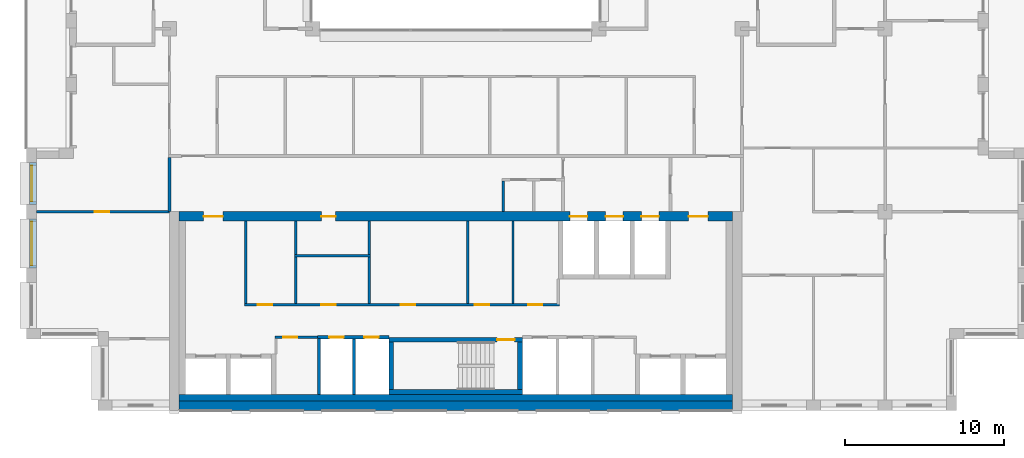
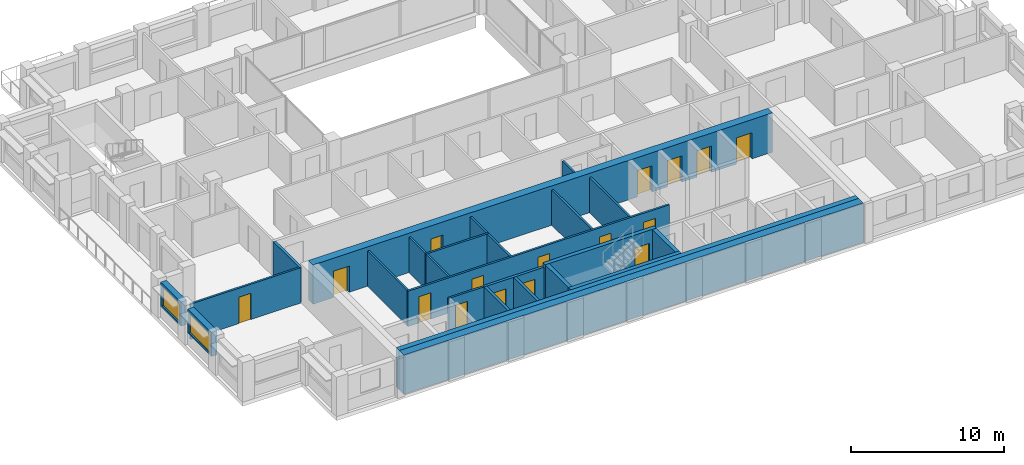
# One storey, part 8 of 15: 25 walls, 16 doors, 2 windows, 18 openings.
"""IFC4 building model written with IfcOpenShell, lengths in metres."""

from ifc_helpers import new_model, si_unit, direction, frame, frame_2d, origin, place, context, subcontext, project, spatial, rectangle, extrude, material, layer, layer_set, type_object, element, fill, save


model = new_model("IFC4")

# Units and contexts
model_context = context("Model", 3, precision=1e-05, world=origin(), true_north=direction((0.0, 1.0)))
body_context = subcontext(model_context, "Body", "Model", "MODEL_VIEW")
ifc_project = project(units=[si_unit("LENGTHUNIT", "METRE"), si_unit("AREAUNIT", "SQUARE_METRE"), si_unit("VOLUMEUNIT", "CUBIC_METRE"), si_unit("PLANEANGLEUNIT", "RADIAN"), si_unit("MASSUNIT", "GRAM", prefix="KILO")], contexts=[model_context])

# Site, building, storey
site_placement = place(None, origin())
site = spatial("IfcSite", under=ifc_project, at=site_placement, CompositionType="ELEMENT")
building_placement = place(site_placement, origin())
building = spatial("IfcBuilding", under=site, at=building_placement, Name="Brigalow Station Residences", CompositionType="ELEMENT")
storey_placement = place(building_placement, frame((0.0, 0.0, 216.89990234375)))
storey = spatial("IfcBuildingStorey", under=building, at=storey_placement, Name="L62", CompositionType="ELEMENT", Elevation=216.89990234375)

# Wall, opening, window
ifc_material_1 = material(Name="Clay brick masonry", Category="masonry")
ifc_layer_1 = layer(ifc_material_1, 0.449951171875)
ifc_layer_set_1 = layer_set([ifc_layer_1], Name="BRICK INFILL WALL 450")
wall_type_1 = type_object("IfcWallType", Name="BRICK INFILL WALL 450", PredefinedType="SOLIDWALL", material=ifc_layer_set_1)
wall_1_placement = place(storey_placement, frame((9.425048828125, 15.60009765625, 0.900146484375), z_axis=(0.0, 0.0, 1.0), x_axis=(0.0, -1.0, 0.0)))
wall_1 = element("IfcWall", 1, at=wall_1_placement, inside=storey, type_object=wall_type_1, Name="L62/ewall/W-L62-41", PredefinedType="SOLIDWALL", context=body_context, shape_type="SweptSolid", body=[
    extrude(rectangle(XDim=2.650146484375, YDim=0.449951171875, at=frame_2d((1.3251953125, 0.0))), origin(), (0.0, 0.0, 1.0), 1.929931640625),
])
opening_1_placement = place(wall_1_placement, frame((0.199951171875, 0.0, 0.14990234375)))
opening_1 = element("IfcOpeningElement", 2, at=opening_1_placement, cuts=wall_1, Name="Opening WT-6", PredefinedType="OPENING", context=body_context, shape_type="SweptSolid", body=[
    extrude(rectangle(XDim=2.25, YDim=1.5, at=frame_2d((1.125, 0.75))), frame((0.0, 0.23486328125, 0.0), z_axis=(0.0, -1.0, 0.0), x_axis=(1.0, 0.0, 0.0)), (0.0, 0.0, 1.0), 0.469970703125),
])
ifc_material_2 = material(Name="Anodised aluminium frame with double glazing", Category="aluminium")
window_type_1 = type_object("IfcWindowType", Name="WINDOW 2250x1500", PartitioningType="SINGLE_PANEL", PredefinedType="WINDOW", material=ifc_material_2)
window_1_placement = place(opening_1_placement, origin())
window_1 = element("IfcWindow", 3, at=window_1_placement, inside=storey, type_object=window_type_1, Name="L62/window/W-L62-41", OverallHeight=1.5, OverallWidth=2.25, PartitioningType="SINGLE_PANEL", PredefinedType="WINDOW", context=body_context, shape_type="SweptSolid", body=[
    extrude(rectangle(XDim=2.25, YDim=1.5, at=frame_2d((1.125, 0.75))), frame((0.0, -0.06494140625, 0.0), z_axis=(0.0, -1.0, 0.0), x_axis=(1.0, 0.0, 0.0)), (0.0, 0.0, 1.0), 0.06005859375),
])
fill(opening_1, window_1)

wall_2_placement = place(storey_placement, frame((9.425048828125, 12.050048828125, 0.900146484375), z_axis=(0.0, 0.0, 1.0), x_axis=(0.0, -1.0, 0.0)))
wall_2 = element("IfcWall", 4, at=wall_2_placement, inside=storey, type_object=wall_type_1, Name="L62/ewall/W-L62-42", PredefinedType="SOLIDWALL", context=body_context, shape_type="SweptSolid", body=[
    extrude(rectangle(XDim=3.10009765625, YDim=0.449951171875, at=frame_2d((1.550048828125, 0.0))), origin(), (0.0, 0.0, 1.0), 1.929931640625),
])
opening_2_placement = place(wall_2_placement, frame((0.175048828125, 0.0, 0.14990234375)))
opening_2 = element("IfcOpeningElement", 5, at=opening_2_placement, cuts=wall_2, Name="Opening WT-3", PredefinedType="OPENING", context=body_context, shape_type="SweptSolid", body=[
    extrude(rectangle(XDim=2.75, YDim=1.5, at=frame_2d((1.375, 0.75))), frame((0.0, 0.23486328125, 0.0), z_axis=(0.0, -1.0, 0.0), x_axis=(1.0, 0.0, 0.0)), (0.0, 0.0, 1.0), 0.469970703125),
])
ifc_material_3 = material(Name="Anodised aluminium frame with double glazing", Category="aluminium")
window_type_2 = type_object("IfcWindowType", Name="WINDOW 2750x1500", PartitioningType="SINGLE_PANEL", PredefinedType="WINDOW", material=ifc_material_3)
window_2_placement = place(opening_2_placement, origin())
window_2 = element("IfcWindow", 6, at=window_2_placement, inside=storey, type_object=window_type_2, Name="L62/window/W-L62-42", OverallHeight=1.5, OverallWidth=2.75, PartitioningType="SINGLE_PANEL", PredefinedType="WINDOW", context=body_context, shape_type="SweptSolid", body=[
    extrude(rectangle(XDim=2.75, YDim=1.5, at=frame_2d((1.375, 0.75))), frame((0.0, -0.06494140625, 0.0), z_axis=(0.0, -1.0, 0.0), x_axis=(1.0, 0.0, 0.0)), (0.0, 0.0, 1.0), 0.06005859375),
])
fill(opening_2, window_2)

# Wall
ifc_material_4 = material(Name="Concrete C50", Category="concrete")
ifc_layer_2 = layer(ifc_material_4, 0.300048828125)
ifc_layer_set_2 = layer_set([ifc_layer_2], Name="CORE SHEAR WALL 300 C50")
wall_type_2 = type_object("IfcWallType", Name="CORE SHEAR WALL 300 C50", PredefinedType="SHEAR", material=ifc_layer_set_2)
wall_3_placement = place(storey_placement, frame((31.800048828125, 1.14990234375, 0.0), z_axis=(0.0, 0.0, 1.0), x_axis=(1.0, 0.0, 0.0)))
element("IfcWall", 7, at=wall_3_placement, inside=storey, type_object=wall_type_2, Name="CORE WALL ST-S2-S L62", PredefinedType="SHEAR", context=body_context, shape_type="SweptSolid", body=[
    extrude(rectangle(XDim=8.39990234375, YDim=0.300048828125, at=frame_2d((4.199951171875, 0.0))), origin(), (0.0, 0.0, 1.0), 3.150146484375),
])

# Wall, opening, door
wall_4_placement = place(storey_placement, frame((31.800048828125, 4.449951171875, 0.0), z_axis=(0.0, 0.0, 1.0), x_axis=(1.0, 0.0, 0.0)))
wall_4 = element("IfcWall", 8, at=wall_4_placement, inside=storey, type_object=wall_type_2, Name="CORE WALL ST-S2-N L62", PredefinedType="SHEAR", context=body_context, shape_type="SweptSolid", body=[
    extrude(rectangle(XDim=8.39990234375, YDim=0.300048828125, at=frame_2d((4.199951171875, 0.0))), origin(), (0.0, 0.0, 1.0), 3.150146484375),
])
opening_3_placement = place(wall_4_placement, frame((6.800048828125, 0.0, 0.0)))
opening_3 = element("IfcOpeningElement", 9, at=opening_3_placement, cuts=wall_4, Name="Opening D-5001", PredefinedType="OPENING", context=body_context, shape_type="SweptSolid", body=[
    extrude(rectangle(XDim=1.10009765625, YDim=2.10009765625, at=frame_2d((0.550048828125, 1.050048828125))), frame((0.0, 0.16015625, 0.0), z_axis=(0.0, -1.0, 0.0), x_axis=(1.0, 0.0, 0.0)), (0.0, 0.0, 1.0), 0.320068359375),
])
ifc_material_5 = material(Name="Steel fire door leaf in steel frame", Category="steel")
door_type_1 = type_object("IfcDoorType", Name="STAIR DOOR 1100 x 2100 FD60S", OperationType="SINGLE_SWING_LEFT", PredefinedType="DOOR", material=ifc_material_5)
door_1_placement = place(opening_3_placement, frame((1.10009765625, 0.0, 0.0), z_axis=(0.0, 0.0, 1.0), x_axis=(-1.0, 0.0, 0.0)))
door_1 = element("IfcDoor", 10, at=door_1_placement, inside=storey, type_object=door_type_1, Name="D-5001", OperationType="SINGLE_SWING_LEFT", OverallHeight=2.10009765625, OverallWidth=1.10009765625, PredefinedType="DOOR", context=body_context, shape_type="SweptSolid", body=[
    extrude(rectangle(XDim=1.10009765625, YDim=2.10009765625, at=frame_2d((0.550048828125, 1.050048828125))), frame((0.0, 0.02490234375, 0.0), z_axis=(0.0, -1.0, 0.0), x_axis=(1.0, 0.0, 0.0)), (0.0, 0.0, 1.0), 0.050048828125),
])
fill(opening_3, door_1)

# Walls
for number, where, z_axis, x_axis, name in (
    (11, (31.949951171875, 1.300048828125, 0.0), (0.0, 0.0, 1.0), (0.0, 1.0, 0.0), "CORE WALL ST-S2-W L62"),
    (12, (40.050048828125, 1.300048828125, 0.0), (0.0, 0.0, 1.0), (0.0, 1.0, 0.0), "CORE WALL ST-S2-E L62"),
):
    element("IfcWall", number, at=place(storey_placement, frame(where, z_axis=z_axis, x_axis=x_axis)), inside=storey, type_object=wall_type_2, Name=name, PredefinedType="SHEAR", context=body_context, shape_type="SweptSolid", body=[
        extrude(rectangle(XDim=3.0, YDim=0.300048828125, at=frame_2d((1.5, 0.0))), origin(), (0.0, 0.0, 1.0), 3.150146484375),
    ])
ifc_material_6 = material(Name="Concrete C50", Category="concrete")
ifc_layer_3 = layer(ifc_material_6, 0.39990234375)
ifc_layer_set_3 = layer_set([ifc_layer_3], Name="CORE SHEAR WALL 400 C50")
wall_type_3 = type_object("IfcWallType", Name="CORE SHEAR WALL 400 C50", PredefinedType="SHEAR", material=ifc_layer_set_3)
wall_5_placement = place(storey_placement, frame((18.60009765625, 0.800048828125, 0.0), z_axis=(0.0, 0.0, 1.0), x_axis=(1.0, 0.0, 0.0)))
element("IfcWall", 13, at=wall_5_placement, inside=storey, type_object=wall_type_3, Name="CORE WALL LIN-S L62", PredefinedType="SHEAR", context=body_context, shape_type="SweptSolid", body=[
    extrude(rectangle(XDim=34.7998046875, YDim=0.39990234375, at=frame_2d((17.39990234375, 0.0))), origin(), (0.0, 0.0, 1.0), 3.150146484375),
])
ifc_material_7 = material(Name="Concrete C50", Category="concrete")
ifc_layer_4 = layer(ifc_material_7, 0.60009765625)
ifc_layer_set_4 = layer_set([ifc_layer_4], Name="CORE SHEAR WALL 600 C50")
wall_type_4 = type_object("IfcWallType", Name="CORE SHEAR WALL 600 C50", PredefinedType="SHEAR", material=ifc_layer_set_4)
wall_6_placement = place(storey_placement, frame((18.60009765625, 0.300048828125, 0.0), z_axis=(0.0, 0.0, 1.0), x_axis=(1.0, 0.0, 0.0)))
element("IfcWall", 14, at=wall_6_placement, inside=storey, type_object=wall_type_4, Name="CORE WALL OUT-S L62", PredefinedType="SHEAR", context=body_context, shape_type="SweptSolid", body=[
    extrude(rectangle(XDim=34.7998046875, YDim=0.60009765625, at=frame_2d((17.39990234375, 0.0))), origin(), (0.0, 0.0, 1.0), 3.150146484375),
])

# Wall, openings, doors
wall_7_placement = place(storey_placement, frame((18.60009765625, 12.199951171875, 0.0), z_axis=(0.0, 0.0, 1.0), x_axis=(1.0, 0.0, 0.0)))
wall_7 = element("IfcWall", 15, at=wall_7_placement, inside=storey, type_object=wall_type_4, Name="CORE WALL OUT-N L62", PredefinedType="SHEAR", context=body_context, shape_type="SweptSolid", body=[
    extrude(rectangle(XDim=34.7998046875, YDim=0.60009765625, at=frame_2d((17.39990234375, 0.0))), origin(), (0.0, 0.0, 1.0), 3.150146484375),
])
opening_4_placement = place(wall_7_placement, frame((24.574951171875, 0.0, 0.0)))
opening_4 = element("IfcOpeningElement", 16, at=opening_4_placement, cuts=wall_7, Name="Opening LD-LF1", PredefinedType="OPENING", context=body_context, shape_type="SweptSolid", body=[
    extrude(rectangle(XDim=1.10009765625, YDim=2.10009765625, at=frame_2d((0.550048828125, 1.050048828125))), frame((0.0, 0.31005859375, 0.0), z_axis=(0.0, -1.0, 0.0), x_axis=(1.0, 0.0, 0.0)), (0.0, 0.0, 1.0), 0.6201171875),
])
opening_5_placement = place(wall_7_placement, frame((26.824951171875, 0.0, 0.0)))
opening_5 = element("IfcOpeningElement", 17, at=opening_5_placement, cuts=wall_7, Name="Opening LD-LF2", PredefinedType="OPENING", context=body_context, shape_type="SweptSolid", body=[
    extrude(rectangle(XDim=1.10009765625, YDim=2.10009765625, at=frame_2d((0.550048828125, 1.050048828125))), frame((0.0, 0.31005859375, 0.0), z_axis=(0.0, -1.0, 0.0), x_axis=(1.0, 0.0, 0.0)), (0.0, 0.0, 1.0), 0.6201171875),
])
opening_6_placement = place(wall_7_placement, frame((29.074951171875, 0.0, 0.0)))
opening_6 = element("IfcOpeningElement", 18, at=opening_6_placement, cuts=wall_7, Name="Opening LD-LG1", PredefinedType="OPENING", context=body_context, shape_type="SweptSolid", body=[
    extrude(rectangle(XDim=1.10009765625, YDim=2.10009765625, at=frame_2d((0.550048828125, 1.050048828125))), frame((0.0, 0.31005859375, 0.0), z_axis=(0.0, -1.0, 0.0), x_axis=(1.0, 0.0, 0.0)), (0.0, 0.0, 1.0), 0.6201171875),
])
opening_7_placement = place(wall_7_placement, frame((8.949951171875, 0.0, 0.0)))
opening_7 = element("IfcOpeningElement", 19, at=opening_7_placement, cuts=wall_7, Name="Opening D-5121", PredefinedType="OPENING", context=body_context, shape_type="SweptSolid", body=[
    extrude(rectangle(XDim=0.89990234375, YDim=2.10009765625, at=frame_2d((0.449951171875, 1.050048828125))), frame((0.0, 0.31005859375, 0.0), z_axis=(0.0, -1.0, 0.0), x_axis=(1.0, 0.0, 0.0)), (0.0, 0.0, 1.0), 0.6201171875),
])
opening_8_placement = place(wall_7_placement, frame((1.550048828125, 0.0, 0.0)))
opening_8 = element("IfcOpeningElement", 20, at=opening_8_placement, cuts=wall_7, Name="Opening D-5011", PredefinedType="OPENING", context=body_context, shape_type="SweptSolid", body=[
    extrude(rectangle(XDim=1.199951171875, YDim=2.10009765625, at=frame_2d((0.60009765625, 1.050048828125))), frame((0.0, 0.31005859375, 0.0), z_axis=(0.0, -1.0, 0.0), x_axis=(1.0, 0.0, 0.0)), (0.0, 0.0, 1.0), 0.6201171875),
])
opening_9_placement = place(wall_7_placement, frame((32.050048828125, 0.0, 0.0)))
opening_9 = element("IfcOpeningElement", 21, at=opening_9_placement, cuts=wall_7, Name="Opening D-5012", PredefinedType="OPENING", context=body_context, shape_type="SweptSolid", body=[
    extrude(rectangle(XDim=1.199951171875, YDim=2.10009765625, at=frame_2d((0.60009765625, 1.050048828125))), frame((0.0, 0.31005859375, 0.0), z_axis=(0.0, -1.0, 0.0), x_axis=(1.0, 0.0, 0.0)), (0.0, 0.0, 1.0), 0.6201171875),
])
ifc_material_8 = material(Name="Steel fire door leaf in steel frame", Category="steel")
door_type_2 = type_object("IfcDoorType", Name="CORE CORRIDOR DOOR 1200 x 2100 FD60S", OperationType="SINGLE_SWING_LEFT", PredefinedType="DOOR", material=ifc_material_8)
door_2_placement = place(opening_8_placement, frame((1.199951171875, 0.0, 0.0), z_axis=(0.0, 0.0, 1.0), x_axis=(-1.0, 0.0, 0.0)))
door_2 = element("IfcDoor", 22, at=door_2_placement, inside=storey, type_object=door_type_2, Name="D-5011", OperationType="SINGLE_SWING_LEFT", OverallHeight=2.10009765625, OverallWidth=1.199951171875, PredefinedType="DOOR", context=body_context, shape_type="SweptSolid", body=[
    extrude(rectangle(XDim=1.199951171875, YDim=2.10009765625, at=frame_2d((0.60009765625, 1.050048828125))), frame((0.0, 0.02490234375, 0.0), z_axis=(0.0, -1.0, 0.0), x_axis=(1.0, 0.0, 0.0)), (0.0, 0.0, 1.0), 0.050048828125),
])
fill(opening_8, door_2)
door_3_placement = place(opening_9_placement, frame((1.199951171875, 0.0, 0.0), z_axis=(0.0, 0.0, 1.0), x_axis=(-1.0, 0.0, 0.0)))
door_3 = element("IfcDoor", 23, at=door_3_placement, inside=storey, type_object=door_type_2, Name="D-5012", OperationType="SINGLE_SWING_RIGHT", OverallHeight=2.10009765625, OverallWidth=1.199951171875, PredefinedType="DOOR", context=body_context, shape_type="SweptSolid", body=[
    extrude(rectangle(XDim=1.199951171875, YDim=2.10009765625, at=frame_2d((0.60009765625, 1.050048828125))), frame((0.0, 0.02490234375, 0.0), z_axis=(0.0, -1.0, 0.0), x_axis=(1.0, 0.0, 0.0)), (0.0, 0.0, 1.0), 0.050048828125),
])
fill(opening_9, door_3)
ifc_material_9 = material(Name="Stainless steel sliding door leaves", Category="steel")
door_type_3 = type_object("IfcDoorType", Name="LIFT LANDING DOOR 1100 x 2100", OperationType="DOUBLE_DOOR_SLIDING", PredefinedType="DOOR", material=ifc_material_9)
door_4_placement = place(opening_4_placement, origin())
door_4 = element("IfcDoor", 24, at=door_4_placement, inside=storey, type_object=door_type_3, Name="LANDING DOOR LF1", OperationType="DOUBLE_DOOR_SLIDING", OverallHeight=2.10009765625, OverallWidth=1.10009765625, PredefinedType="DOOR", context=body_context, shape_type="SweptSolid", body=[
    extrude(rectangle(XDim=1.10009765625, YDim=2.10009765625, at=frame_2d((0.550048828125, 1.050048828125))), frame((0.0, 0.02490234375, 0.0), z_axis=(0.0, -1.0, 0.0), x_axis=(1.0, 0.0, 0.0)), (0.0, 0.0, 1.0), 0.050048828125),
])
fill(opening_4, door_4)
door_5_placement = place(opening_5_placement, origin())
door_5 = element("IfcDoor", 25, at=door_5_placement, inside=storey, type_object=door_type_3, Name="LANDING DOOR LF2", OperationType="DOUBLE_DOOR_SLIDING", OverallHeight=2.10009765625, OverallWidth=1.10009765625, PredefinedType="DOOR", context=body_context, shape_type="SweptSolid", body=[
    extrude(rectangle(XDim=1.10009765625, YDim=2.10009765625, at=frame_2d((0.550048828125, 1.050048828125))), frame((0.0, 0.02490234375, 0.0), z_axis=(0.0, -1.0, 0.0), x_axis=(1.0, 0.0, 0.0)), (0.0, 0.0, 1.0), 0.050048828125),
])
fill(opening_5, door_5)
door_6_placement = place(opening_6_placement, origin())
door_6 = element("IfcDoor", 26, at=door_6_placement, inside=storey, type_object=door_type_3, Name="LANDING DOOR LG1", OperationType="DOUBLE_DOOR_SLIDING", OverallHeight=2.10009765625, OverallWidth=1.10009765625, PredefinedType="DOOR", context=body_context, shape_type="SweptSolid", body=[
    extrude(rectangle(XDim=1.10009765625, YDim=2.10009765625, at=frame_2d((0.550048828125, 1.050048828125))), frame((0.0, 0.02490234375, 0.0), z_axis=(0.0, -1.0, 0.0), x_axis=(1.0, 0.0, 0.0)), (0.0, 0.0, 1.0), 0.050048828125),
])
fill(opening_6, door_6)
ifc_material_10 = material(Name="Steel door leaf in steel frame", Category="steel")
door_type_4 = type_object("IfcDoorType", Name="SERVICE ROOM DOOR 900 x 2100 FD60", OperationType="SINGLE_SWING_LEFT", PredefinedType="DOOR", material=ifc_material_10)
door_7_placement = place(opening_7_placement, frame((0.89990234375, 0.0, 0.0), z_axis=(0.0, 0.0, 1.0), x_axis=(-1.0, 0.0, 0.0)))
door_7 = element("IfcDoor", 27, at=door_7_placement, inside=storey, type_object=door_type_4, Name="D-5121", OperationType="SINGLE_SWING_RIGHT", OverallHeight=2.10009765625, OverallWidth=0.89990234375, PredefinedType="DOOR", context=body_context, shape_type="SweptSolid", body=[
    extrude(rectangle(XDim=0.89990234375, YDim=2.10009765625, at=frame_2d((0.449951171875, 1.050048828125))), frame((0.0, 0.02490234375, 0.0), z_axis=(0.0, -1.0, 0.0), x_axis=(1.0, 0.0, 0.0)), (0.0, 0.0, 1.0), 0.050048828125),
])
fill(opening_7, door_7)

ifc_material_11 = material(Name="Concrete blockwork", Category="masonry")
ifc_layer_5 = layer(ifc_material_11, 0.199951171875)
ifc_layer_set_5 = layer_set([ifc_layer_5], Name="FIRE RATED CORE PARTITION 200")
wall_type_5 = type_object("IfcWallType", Name="FIRE RATED CORE PARTITION 200", PredefinedType="PARTITIONING", material=ifc_layer_set_5)
wall_8_placement = place(storey_placement, frame((27.300048828125, 4.60009765625, 0.0), z_axis=(0.0, 0.0, 1.0), x_axis=(1.0, 0.0, 0.0)))
wall_8 = element("IfcWall", 28, at=wall_8_placement, inside=storey, type_object=wall_type_5, Name="PW-5017", PredefinedType="PARTITIONING", context=body_context, shape_type="SweptSolid", body=[
    extrude(rectangle(XDim=4.5, YDim=0.199951171875, at=frame_2d((2.25, 0.0))), origin(), (0.0, 0.0, 1.0), 2.830078125),
])
opening_10_placement = place(wall_8_placement, frame((0.75, 0.0, 0.0)))
opening_10 = element("IfcOpeningElement", 29, at=opening_10_placement, cuts=wall_8, Name="Opening D-5007", PredefinedType="OPENING", context=body_context, shape_type="SweptSolid", body=[
    extrude(rectangle(XDim=0.89990234375, YDim=2.10009765625, at=frame_2d((0.449951171875, 1.050048828125))), frame((0.0, 0.10986328125, 0.0), z_axis=(0.0, -1.0, 0.0), x_axis=(1.0, 0.0, 0.0)), (0.0, 0.0, 1.0), 0.219970703125),
])
opening_11_placement = place(wall_8_placement, frame((2.949951171875, 0.0, 0.0)))
opening_11 = element("IfcOpeningElement", 30, at=opening_11_placement, cuts=wall_8, Name="Opening D-5008", PredefinedType="OPENING", context=body_context, shape_type="SweptSolid", body=[
    extrude(rectangle(XDim=0.89990234375, YDim=2.10009765625, at=frame_2d((0.449951171875, 1.050048828125))), frame((0.0, 0.10986328125, 0.0), z_axis=(0.0, -1.0, 0.0), x_axis=(1.0, 0.0, 0.0)), (0.0, 0.0, 1.0), 0.219970703125),
])
ifc_material_12 = material(Name="Steel fire door leaf in steel frame", Category="steel")
door_type_5 = type_object("IfcDoorType", Name="RISER ACCESS DOOR 900 x 2100 FD120", OperationType="SINGLE_SWING_LEFT", PredefinedType="DOOR", material=ifc_material_12)
door_8_placement = place(opening_10_placement, frame((0.89990234375, 0.0, 0.0), z_axis=(0.0, 0.0, 1.0), x_axis=(-1.0, 0.0, 0.0)))
door_8 = element("IfcDoor", 31, at=door_8_placement, inside=storey, type_object=door_type_5, Name="D-5007", OperationType="SINGLE_SWING_RIGHT", OverallHeight=2.10009765625, OverallWidth=0.89990234375, PredefinedType="DOOR", context=body_context, shape_type="SweptSolid", body=[
    extrude(rectangle(XDim=0.89990234375, YDim=2.10009765625, at=frame_2d((0.449951171875, 1.050048828125))), frame((0.0, 0.02490234375, 0.0), z_axis=(0.0, -1.0, 0.0), x_axis=(1.0, 0.0, 0.0)), (0.0, 0.0, 1.0), 0.050048828125),
])
fill(opening_10, door_8)
door_9_placement = place(opening_11_placement, frame((0.89990234375, 0.0, 0.0), z_axis=(0.0, 0.0, 1.0), x_axis=(-1.0, 0.0, 0.0)))
door_9 = element("IfcDoor", 32, at=door_9_placement, inside=storey, type_object=door_type_5, Name="D-5008", OperationType="SINGLE_SWING_RIGHT", OverallHeight=2.10009765625, OverallWidth=0.89990234375, PredefinedType="DOOR", context=body_context, shape_type="SweptSolid", body=[
    extrude(rectangle(XDim=0.89990234375, YDim=2.10009765625, at=frame_2d((0.449951171875, 1.050048828125))), frame((0.0, 0.02490234375, 0.0), z_axis=(0.0, -1.0, 0.0), x_axis=(1.0, 0.0, 0.0)), (0.0, 0.0, 1.0), 0.050048828125),
])
fill(opening_11, door_9)

# Walls
wall_9_placement = place(storey_placement, frame((27.39990234375, 1.0, 0.0), z_axis=(0.0, 0.0, 1.0), x_axis=(0.0, 1.0, 0.0)))
element("IfcWall", 33, at=wall_9_placement, inside=storey, type_object=wall_type_5, Name="PW-5027", PredefinedType="PARTITIONING", context=body_context, shape_type="SweptSolid", body=[
    extrude(rectangle(XDim=3.52490234375, YDim=0.199951171875, at=frame_2d((1.762451171875, 0.0))), origin(), (0.0, 0.0, 1.0), 2.830078125),
])
wall_10_placement = place(storey_placement, frame((29.60009765625, 1.0, 0.0), z_axis=(0.0, 0.0, 1.0), x_axis=(0.0, 1.0, 0.0)))
element("IfcWall", 34, at=wall_10_placement, inside=storey, type_object=wall_type_5, Name="PW-5006", PredefinedType="PARTITIONING", context=body_context, shape_type="SweptSolid", body=[
    extrude(rectangle(XDim=3.5, YDim=0.199951171875, at=frame_2d((1.75, 0.0))), origin(), (0.0, 0.0, 1.0), 2.830078125),
])
wall_11_placement = place(storey_placement, frame((18.0, 12.5, 0.0), z_axis=(0.0, 0.0, 1.0), x_axis=(0.0, 1.0, 0.0)))
element("IfcWall", 35, at=wall_11_placement, inside=storey, type_object=wall_type_5, Name="PW-5013", PredefinedType="PARTITIONING", context=body_context, shape_type="SweptSolid", body=[
    extrude(rectangle(XDim=3.39990234375, YDim=0.199951171875, at=frame_2d((1.699951171875, 0.0))), origin(), (0.0, 0.0, 1.0), 2.830078125),
])

# Wall, opening, door
ifc_material_13 = material(Name="Plasterboard on steel stud partition", Category="steel")
ifc_layer_6 = layer(ifc_material_13, 0.14990234375)
ifc_layer_set_6 = layer_set([ifc_layer_6], Name="FLAT PARTITION 150")
wall_type_6 = type_object("IfcWallType", Name="FLAT PARTITION 150", PredefinedType="PARTITIONING", material=ifc_layer_set_6)
wall_12_placement = place(storey_placement, frame((9.64990234375, 12.5, 0.0), z_axis=(0.0, 0.0, 1.0), x_axis=(1.0, 0.0, 0.0)))
wall_12 = element("IfcWall", 36, at=wall_12_placement, inside=storey, type_object=wall_type_6, Name="PW-4C09", PredefinedType="PARTITIONING", context=body_context, shape_type="SweptSolid", body=[
    extrude(rectangle(XDim=8.35009765625, YDim=0.14990234375, at=frame_2d((4.175048828125, 0.0))), origin(), (0.0, 0.0, 1.0), 2.830078125),
])
opening_12_placement = place(wall_12_placement, frame((3.64990234375, 0.0, 0.0)))
opening_12 = element("IfcOpeningElement", 37, at=opening_12_placement, cuts=wall_12, Name="Opening D-4C05", PredefinedType="OPENING", context=body_context, shape_type="SweptSolid", body=[
    extrude(rectangle(XDim=0.89990234375, YDim=2.10009765625, at=frame_2d((0.449951171875, 1.050048828125))), frame((0.0, 0.0849609375, 0.0), z_axis=(0.0, -1.0, 0.0), x_axis=(1.0, 0.0, 0.0)), (0.0, 0.0, 1.0), 0.169921875),
])
ifc_material_14 = material(Name="Solid-core timber door leaf", Category="wood")
door_type_6 = type_object("IfcDoorType", Name="INTERNAL DOOR 900 x 2100", OperationType="SINGLE_SWING_LEFT", PredefinedType="DOOR", material=ifc_material_14)
door_10_placement = place(opening_12_placement, origin())
door_10 = element("IfcDoor", 38, at=door_10_placement, inside=storey, type_object=door_type_6, Name="D-4C05", OperationType="SINGLE_SWING_LEFT", OverallHeight=2.10009765625, OverallWidth=0.89990234375, PredefinedType="DOOR", context=body_context, shape_type="SweptSolid", body=[
    extrude(rectangle(XDim=0.89990234375, YDim=2.10009765625, at=frame_2d((0.449951171875, 1.050048828125))), frame((0.0, 0.02490234375, 0.0), z_axis=(0.0, -1.0, 0.0), x_axis=(1.0, 0.0, 0.0)), (0.0, 0.0, 1.0), 0.050048828125),
])
fill(opening_12, door_10)

ifc_material_15 = material(Name="Plasterboard on steel studs", Category="steel")
ifc_layer_7 = layer(ifc_material_15, 0.14990234375)
ifc_layer_set_7 = layer_set([ifc_layer_7], Name="SERVICE ROOM PARTITION 150")
wall_type_7 = type_object("IfcWallType", Name="SERVICE ROOM PARTITION 150", PredefinedType="PARTITIONING", material=ifc_layer_set_7)
wall_13_placement = place(storey_placement, frame((24.625, 4.60009765625, 0.0), z_axis=(0.0, 0.0, 1.0), x_axis=(1.0, 0.0, 0.0)))
wall_13 = element("IfcWall", 39, at=wall_13_placement, inside=storey, type_object=wall_type_7, Name="PW-5155", PredefinedType="PARTITIONING", context=body_context, shape_type="SweptSolid", body=[
    extrude(rectangle(XDim=2.675048828125, YDim=0.14990234375, at=frame_2d((1.33740234375, 0.0))), origin(), (0.0, 0.0, 1.0), 2.830078125),
])
opening_13_placement = place(wall_13_placement, frame((0.52490234375, 0.0, 0.0)))
opening_13 = element("IfcOpeningElement", 40, at=opening_13_placement, cuts=wall_13, Name="Opening D-5087", PredefinedType="OPENING", context=body_context, shape_type="SweptSolid", body=[
    extrude(rectangle(XDim=0.89990234375, YDim=2.10009765625, at=frame_2d((0.449951171875, 1.050048828125))), frame((0.0, 0.0849609375, 0.0), z_axis=(0.0, -1.0, 0.0), x_axis=(1.0, 0.0, 0.0)), (0.0, 0.0, 1.0), 0.169921875),
])
door_11_placement = place(opening_13_placement, frame((0.89990234375, 0.0, 0.0), z_axis=(0.0, 0.0, 1.0), x_axis=(-1.0, 0.0, 0.0)))
door_11 = element("IfcDoor", 41, at=door_11_placement, inside=storey, type_object=door_type_4, Name="D-5087", OperationType="SINGLE_SWING_RIGHT", OverallHeight=2.10009765625, OverallWidth=0.89990234375, PredefinedType="DOOR", context=body_context, shape_type="SweptSolid", body=[
    extrude(rectangle(XDim=0.89990234375, YDim=2.10009765625, at=frame_2d((0.449951171875, 1.050048828125))), frame((0.0, 0.02490234375, 0.0), z_axis=(0.0, -1.0, 0.0), x_axis=(1.0, 0.0, 0.0)), (0.0, 0.0, 1.0), 0.050048828125),
])
fill(opening_13, door_11)

# Wall, openings, doors
wall_14_placement = place(storey_placement, frame((22.72509765625, 6.64990234375, 0.0), z_axis=(0.0, 0.0, 1.0), x_axis=(1.0, 0.0, 0.0)))
wall_14 = element("IfcWall", 42, at=wall_14_placement, inside=storey, type_object=wall_type_7, Name="PW-5195", PredefinedType="PARTITIONING", context=body_context, shape_type="SweptSolid", body=[
    extrude(rectangle(XDim=19.7998046875, YDim=0.14990234375, at=frame_2d((9.89990234375, 0.0))), origin(), (0.0, 0.0, 1.0), 2.830078125),
])
opening_14_placement = place(wall_14_placement, frame((0.824951171875, 0.0, 0.0)))
opening_14 = element("IfcOpeningElement", 43, at=opening_14_placement, cuts=wall_14, Name="Opening D-5110", PredefinedType="OPENING", context=body_context, shape_type="SweptSolid", body=[
    extrude(rectangle(XDim=0.89990234375, YDim=2.10009765625, at=frame_2d((0.449951171875, 1.050048828125))), frame((0.0, 0.0849609375, 0.0), z_axis=(0.0, -1.0, 0.0), x_axis=(1.0, 0.0, 0.0)), (0.0, 0.0, 1.0), 0.169921875),
])
opening_15_placement = place(wall_14_placement, frame((4.824951171875, 0.0, 0.0)))
opening_15 = element("IfcOpeningElement", 44, at=opening_15_placement, cuts=wall_14, Name="Opening D-5116", PredefinedType="OPENING", context=body_context, shape_type="SweptSolid", body=[
    extrude(rectangle(XDim=0.89990234375, YDim=2.10009765625, at=frame_2d((0.449951171875, 1.050048828125))), frame((0.0, 0.0849609375, 0.0), z_axis=(0.0, -1.0, 0.0), x_axis=(1.0, 0.0, 0.0)), (0.0, 0.0, 1.0), 0.169921875),
])
opening_16_placement = place(wall_14_placement, frame((9.824951171875, 0.0, 0.0)))
opening_16 = element("IfcOpeningElement", 45, at=opening_16_placement, cuts=wall_14, Name="Opening D-5117", PredefinedType="OPENING", context=body_context, shape_type="SweptSolid", body=[
    extrude(rectangle(XDim=0.89990234375, YDim=2.10009765625, at=frame_2d((0.449951171875, 1.050048828125))), frame((0.0, 0.0849609375, 0.0), z_axis=(0.0, -1.0, 0.0), x_axis=(1.0, 0.0, 0.0)), (0.0, 0.0, 1.0), 0.169921875),
])
opening_17_placement = place(wall_14_placement, frame((14.47509765625, 0.0, 0.0)))
opening_17 = element("IfcOpeningElement", 46, at=opening_17_placement, cuts=wall_14, Name="Opening D-5114", PredefinedType="OPENING", context=body_context, shape_type="SweptSolid", body=[
    extrude(rectangle(XDim=0.89990234375, YDim=2.10009765625, at=frame_2d((0.449951171875, 1.050048828125))), frame((0.0, 0.0849609375, 0.0), z_axis=(0.0, -1.0, 0.0), x_axis=(1.0, 0.0, 0.0)), (0.0, 0.0, 1.0), 0.169921875),
])
opening_18_placement = place(wall_14_placement, frame((17.824951171875, 0.0, 0.0)))
opening_18 = element("IfcOpeningElement", 47, at=opening_18_placement, cuts=wall_14, Name="Opening D-5115", PredefinedType="OPENING", context=body_context, shape_type="SweptSolid", body=[
    extrude(rectangle(XDim=0.89990234375, YDim=2.10009765625, at=frame_2d((0.449951171875, 1.050048828125))), frame((0.0, 0.0849609375, 0.0), z_axis=(0.0, -1.0, 0.0), x_axis=(1.0, 0.0, 0.0)), (0.0, 0.0, 1.0), 0.169921875),
])
door_12_placement = place(opening_14_placement, origin())
door_12 = element("IfcDoor", 48, at=door_12_placement, inside=storey, type_object=door_type_4, Name="D-5110", OperationType="SINGLE_SWING_LEFT", OverallHeight=2.10009765625, OverallWidth=0.89990234375, PredefinedType="DOOR", context=body_context, shape_type="SweptSolid", body=[
    extrude(rectangle(XDim=0.89990234375, YDim=2.10009765625, at=frame_2d((0.449951171875, 1.050048828125))), frame((0.0, 0.02490234375, 0.0), z_axis=(0.0, -1.0, 0.0), x_axis=(1.0, 0.0, 0.0)), (0.0, 0.0, 1.0), 0.050048828125),
])
fill(opening_14, door_12)
door_13_placement = place(opening_15_placement, origin())
door_13 = element("IfcDoor", 49, at=door_13_placement, inside=storey, type_object=door_type_4, Name="D-5116", OperationType="SINGLE_SWING_LEFT", OverallHeight=2.10009765625, OverallWidth=0.89990234375, PredefinedType="DOOR", context=body_context, shape_type="SweptSolid", body=[
    extrude(rectangle(XDim=0.89990234375, YDim=2.10009765625, at=frame_2d((0.449951171875, 1.050048828125))), frame((0.0, 0.02490234375, 0.0), z_axis=(0.0, -1.0, 0.0), x_axis=(1.0, 0.0, 0.0)), (0.0, 0.0, 1.0), 0.050048828125),
])
fill(opening_15, door_13)
door_14_placement = place(opening_16_placement, origin())
door_14 = element("IfcDoor", 50, at=door_14_placement, inside=storey, type_object=door_type_4, Name="D-5117", OperationType="SINGLE_SWING_LEFT", OverallHeight=2.10009765625, OverallWidth=0.89990234375, PredefinedType="DOOR", context=body_context, shape_type="SweptSolid", body=[
    extrude(rectangle(XDim=0.89990234375, YDim=2.10009765625, at=frame_2d((0.449951171875, 1.050048828125))), frame((0.0, 0.02490234375, 0.0), z_axis=(0.0, -1.0, 0.0), x_axis=(1.0, 0.0, 0.0)), (0.0, 0.0, 1.0), 0.050048828125),
])
fill(opening_16, door_14)
door_15_placement = place(opening_17_placement, origin())
door_15 = element("IfcDoor", 51, at=door_15_placement, inside=storey, type_object=door_type_4, Name="D-5114", OperationType="SINGLE_SWING_LEFT", OverallHeight=2.10009765625, OverallWidth=0.89990234375, PredefinedType="DOOR", context=body_context, shape_type="SweptSolid", body=[
    extrude(rectangle(XDim=0.89990234375, YDim=2.10009765625, at=frame_2d((0.449951171875, 1.050048828125))), frame((0.0, 0.02490234375, 0.0), z_axis=(0.0, -1.0, 0.0), x_axis=(1.0, 0.0, 0.0)), (0.0, 0.0, 1.0), 0.050048828125),
])
fill(opening_17, door_15)
door_16_placement = place(opening_18_placement, origin())
door_16 = element("IfcDoor", 52, at=door_16_placement, inside=storey, type_object=door_type_4, Name="D-5115", OperationType="SINGLE_SWING_LEFT", OverallHeight=2.10009765625, OverallWidth=0.89990234375, PredefinedType="DOOR", context=body_context, shape_type="SweptSolid", body=[
    extrude(rectangle(XDim=0.89990234375, YDim=2.10009765625, at=frame_2d((0.449951171875, 1.050048828125))), frame((0.0, 0.02490234375, 0.0), z_axis=(0.0, -1.0, 0.0), x_axis=(1.0, 0.0, 0.0)), (0.0, 0.0, 1.0), 0.050048828125),
])
fill(opening_18, door_16)

# Walls
wall_15_placement = place(storey_placement, frame((25.85498046875, 9.72998046875, 0.0), z_axis=(0.0, 0.0, 1.0), x_axis=(1.0, 0.0, 0.0)))
element("IfcWall", 53, at=wall_15_placement, inside=storey, type_object=wall_type_7, Name="PW-5224", PredefinedType="PARTITIONING", context=body_context, shape_type="SweptSolid", body=[
    extrude(rectangle(XDim=4.7900390625, YDim=0.14990234375, at=frame_2d((2.39501953125, 0.0))), origin(), (0.0, 0.0, 1.0), 2.830078125),
])
wall_16_placement = place(storey_placement, frame((22.800048828125, 6.72509765625, 0.0), z_axis=(0.0, 0.0, 1.0), x_axis=(0.0, 1.0, 0.0)))
element("IfcWall", 54, at=wall_16_placement, inside=storey, type_object=wall_type_7, Name="PW-5197", PredefinedType="PARTITIONING", context=body_context, shape_type="SweptSolid", body=[
    extrude(rectangle(XDim=5.1748046875, YDim=0.14990234375, at=frame_2d((2.58740234375, 0.0))), origin(), (0.0, 0.0, 1.0), 2.830078125),
])
for number, where, z_axis, x_axis, name in (
    (55, (25.929931640625, 6.72509765625, 0.0), (0.0, 0.0, 1.0), (0.0, 1.0, 0.0), "PW-5225"),
    (56, (30.570068359375, 6.72509765625, 0.0), (0.0, 0.0, 1.0), (0.0, 1.0, 0.0), "PW-5226"),
):
    element("IfcWall", number, at=place(storey_placement, frame(where, z_axis=z_axis, x_axis=x_axis)), inside=storey, type_object=wall_type_7, Name=name, PredefinedType="PARTITIONING", context=body_context, shape_type="SweptSolid", body=[
        extrude(rectangle(XDim=2.929931640625, YDim=0.14990234375, at=frame_2d((1.46484375, 0.0))), origin(), (0.0, 0.0, 1.0), 2.830078125),
    ])
for number, where, z_axis, x_axis, name in (
    (57, (36.75, 6.72509765625, 0.0), (0.0, 0.0, 1.0), (0.0, 1.0, 0.0), "PW-5227"),
    (58, (39.60009765625, 6.72509765625, 0.0), (0.0, 0.0, 1.0), (0.0, 1.0, 0.0), "PW-5201"),
):
    element("IfcWall", number, at=place(storey_placement, frame(where, z_axis=z_axis, x_axis=x_axis)), inside=storey, type_object=wall_type_7, Name=name, PredefinedType="PARTITIONING", context=body_context, shape_type="SweptSolid", body=[
        extrude(rectangle(XDim=5.1748046875, YDim=0.14990234375, at=frame_2d((2.58740234375, 0.0))), origin(), (0.0, 0.0, 1.0), 2.830078125),
    ])
for number, where, z_axis, x_axis, name in (
    (59, (25.929931640625, 9.804931640625, 0.0), (0.0, 0.0, 1.0), (0.0, 1.0, 0.0), "PW-5228"),
    (60, (30.570068359375, 9.804931640625, 0.0), (0.0, 0.0, 1.0), (0.0, 1.0, 0.0), "PW-5229"),
):
    element("IfcWall", number, at=place(storey_placement, frame(where, z_axis=z_axis, x_axis=x_axis)), inside=storey, type_object=wall_type_7, Name=name, PredefinedType="PARTITIONING", context=body_context, shape_type="SweptSolid", body=[
        extrude(rectangle(XDim=2.094970703125, YDim=0.14990234375, at=frame_2d((1.04736328125, 0.0))), origin(), (0.0, 0.0, 1.0), 2.830078125),
    ])
wall_17_placement = place(storey_placement, frame((39.0, 12.5, 0.0), z_axis=(0.0, 0.0, 1.0), x_axis=(0.0, 1.0, 0.0)))
element("IfcWall", 61, at=wall_17_placement, inside=storey, type_object=wall_type_7, Name="PW-5136", PredefinedType="PARTITIONING", context=body_context, shape_type="SweptSolid", body=[
    extrude(rectangle(XDim=1.925048828125, YDim=0.14990234375, at=frame_2d((0.96240234375, 0.0))), origin(), (0.0, 0.0, 1.0), 2.830078125),
])

save(model, "model.ifc")
